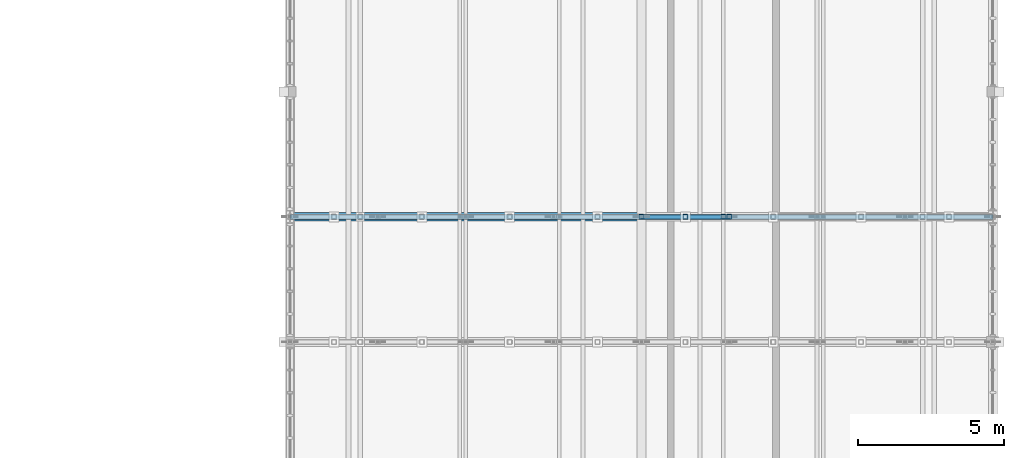
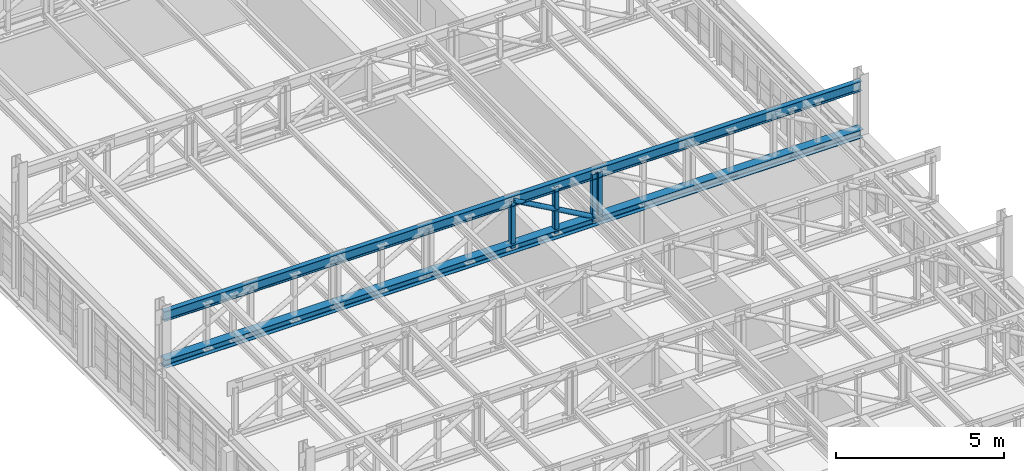
# One storey, part 48 of 128: 7 members.
"""IFC4 building model written with IfcOpenShell, lengths in metres."""

from ifc_helpers import new_model, si_unit, direction, frame, origin, origin_2d, place, context, subcontext, project, spatial, hollow_rectangle, hollow_circle, i_section, extrude, material, material_profile, profile_set, type_object, element, save


model = new_model("IFC4")

# Units and contexts
model_context = context("Model", 3, precision=1e-05, world=origin(), true_north=direction((0.0, 1.0)))
body_context = subcontext(model_context, "Body", "Model", "MODEL_VIEW")
ifc_project = project(units=[si_unit("LENGTHUNIT", "METRE"), si_unit("AREAUNIT", "SQUARE_METRE"), si_unit("VOLUMEUNIT", "CUBIC_METRE"), si_unit("PLANEANGLEUNIT", "RADIAN"), si_unit("MASSUNIT", "GRAM", prefix="KILO")], contexts=[model_context])

# Site, building, storey
site_placement = place(None, origin())
site = spatial("IfcSite", under=ifc_project, at=site_placement, CompositionType="ELEMENT")
building_placement = place(site_placement, origin())
building = spatial("IfcBuilding", under=site, at=building_placement, Name="Serraforn Aerial Cableway Station", CompositionType="ELEMENT")
storey_placement = place(building_placement, frame((0.0, 0.0, 9.0)))
storey = spatial("IfcBuildingStorey", under=building, at=storey_placement, Name="L02", CompositionType="ELEMENT", Elevation=9.0)

# Members
ifc_material = material(Name="Steel S355J2", Category="steel")
ifc_material_profile_1 = material_profile(ifc_material, i_section(OverallWidth=0.300048828125, OverallDepth=0.300048828125, WebThickness=0.008544921875, FlangeThickness=0.013916015625, FilletRadius=0.027099609375, at=origin_2d()), Name="HEA 300")
ifc_profile_set_1 = profile_set([ifc_material_profile_1], Name="Steel S355J2")
member_type_1 = type_object("IfcMemberType", Name="MEM-BC-HEA300", PredefinedType="CHORD", material=ifc_profile_set_1)
member_1_placement = place(storey_placement, frame((144.0, 88.35009765625, 2.60009765625), z_axis=(1.0, 0.0, 0.0), x_axis=(0.0, 1.0, 0.0)))
element("IfcMember", 1, at=member_1_placement, inside=storey, type_object=member_type_1, Name="Garage Truss GT-09 Bottom Chord", PredefinedType="CHORD", context=body_context, shape_type="SweptSolid", body=[
    extrude(i_section(OverallWidth=0.300048828125, OverallDepth=0.300048828125, WebThickness=0.008544921875, FlangeThickness=0.013916015625, FilletRadius=0.027099609375, at=origin_2d()), origin(), (0.0, 0.0, 1.0), 24.0),
])
ifc_material_profile_2 = material_profile(ifc_material, hollow_circle(Radius=0.084228515625, WallThickness=0.008056640625, at=origin_2d()), Name="CHS 168.3x8.0")
ifc_profile_set_2 = profile_set([ifc_material_profile_2], Name="Steel S355J2")
member_type_2 = type_object("IfcMemberType", Name="MEM-DG-CHS168", PredefinedType="BRACE", material=ifc_profile_set_2)
member_2_placement = place(storey_placement, frame((156.0, 88.35009765625, 4.2900390625), z_axis=(0.871272396707, 0.0, -0.490799766439), x_axis=(0.0, 1.0, 0.0)))
element("IfcMember", 2, at=member_2_placement, inside=storey, type_object=member_type_2, Name="Garage Truss GT-09 Diagonal 5", PredefinedType="BRACE", context=body_context, shape_type="SweptSolid", body=[
    extrude(hollow_circle(Radius=0.084228515625, WallThickness=0.008056640625, at=origin_2d()), origin(), (0.0, 0.0, 1.0), 3.443359375),
])
ifc_material_profile_3 = material_profile(ifc_material, i_section(OverallWidth=0.169921875, OverallDepth=0.360107421875, WebThickness=0.008056640625, FlangeThickness=0.0126953125, FilletRadius=0.01806640625, at=origin_2d()), Name="IPE 360")
ifc_profile_set_3 = profile_set([ifc_material_profile_3], Name="Steel S355J2")
member_type_3 = type_object("IfcMemberType", Name="MEM-TC-IPE360", PredefinedType="CHORD", material=ifc_profile_set_3)
member_3_placement = place(storey_placement, frame((144.0, 88.35009765625, 4.2900390625), z_axis=(1.0, 0.0, 0.0), x_axis=(0.0, 1.0, 0.0)))
element("IfcMember", 3, at=member_3_placement, inside=storey, type_object=member_type_3, Name="Garage Truss GT-09 Top Chord", PredefinedType="CHORD", context=body_context, shape_type="SweptSolid", body=[
    extrude(i_section(OverallWidth=0.169921875, OverallDepth=0.360107421875, WebThickness=0.008056640625, FlangeThickness=0.0126953125, FilletRadius=0.01806640625, at=origin_2d()), origin(), (0.0, 0.0, 1.0), 24.0),
])
ifc_material_profile_4 = material_profile(ifc_material, hollow_rectangle(XDim=0.159912109375, YDim=0.159912109375, WallThickness=0.008056640625, InnerFilletRadius=0.008056640625, OuterFilletRadius=0.01611328125, at=origin_2d()), Name="SHS 160x160x8.0")
ifc_profile_set_4 = profile_set([ifc_material_profile_4], Name="Steel S355J2")
member_type_4 = type_object("IfcMemberType", Name="MEM-VP-SHS160", PredefinedType="STRUT", material=ifc_profile_set_4)
for number, where, z_axis, x_axis, name in (
    (4, (156.0, 88.35009765625, 2.590087890625), (0.0, 0.0, 1.0), (1.0, 0.0, 0.0), "Garage Truss GT-09 Post 5"),
    (5, (159.0, 88.35009765625, 2.590087890625), (0.0, 0.0, 1.0), (1.0, 0.0, 0.0), "Garage Truss GT-09 Post 6"),
    (6, (158.800048828125, 88.35009765625, 2.590087890625), (0.0, 0.0, 1.0), (1.0, 0.0, 0.0), "Overhead Rail Suspension Post 046"),
    (7, (157.5, 88.35009765625, 2.590087890625), (0.0, 0.0, 1.0), (1.0, 0.0, 0.0), "Garage Truss GT-09 Sub-Vertical 5"),
):
    element("IfcMember", number, at=place(storey_placement, frame(where, z_axis=z_axis, x_axis=x_axis)), inside=storey, type_object=member_type_4, Name=name, PredefinedType="STRUT", context=body_context, shape_type="SweptSolid", body=[
        extrude(hollow_rectangle(XDim=0.159912109375, YDim=0.159912109375, WallThickness=0.008056640625, InnerFilletRadius=0.008056640625, OuterFilletRadius=0.01611328125, at=origin_2d()), origin(), (0.0, 0.0, 1.0), 1.7099609375),
    ])

save(model, "model.ifc")
